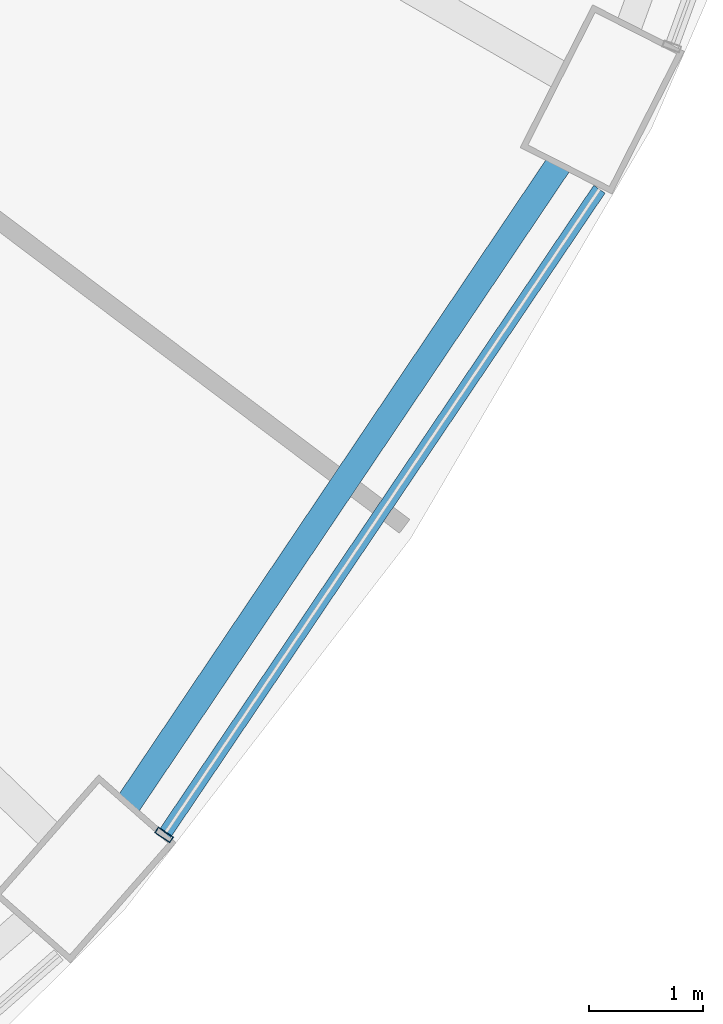
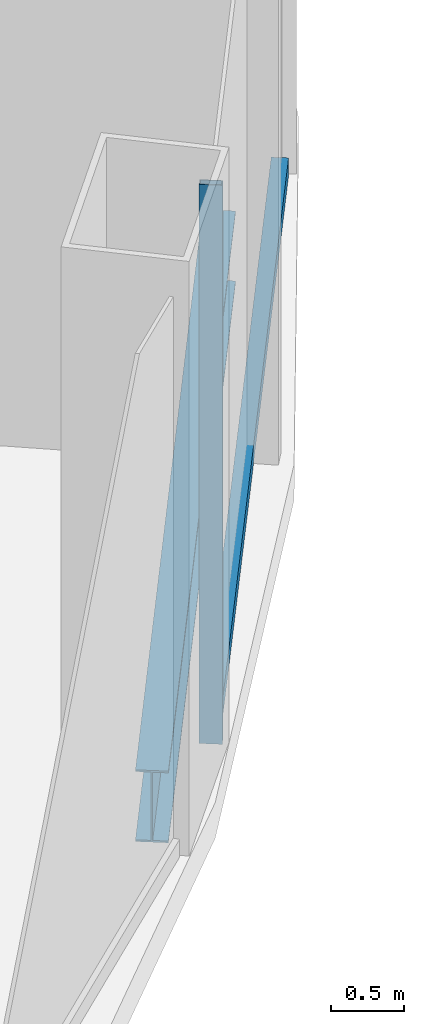
# One storey, part 13 of 47: 2 members, 1 beam, 1 element without a shape of its own.
"""IFC4 building model written with IfcOpenShell, lengths in metres."""

from ifc_helpers import new_model, si_unit, direction, frame, origin, origin_2d, place, context, subcontext, project, spatial, hollow_rectangle, i_section, extrude, material, layer, layer_set, material_profile, profile_set, type_object, element, aggregate, save


model = new_model("IFC4")

# Units and contexts
model_context = context("Model", 3, precision=1e-05, world=origin(), true_north=direction((0.0, 1.0)))
body_context = subcontext(model_context, "Body", "Model", "MODEL_VIEW")
ifc_project = project(units=[si_unit("LENGTHUNIT", "METRE"), si_unit("AREAUNIT", "SQUARE_METRE"), si_unit("VOLUMEUNIT", "CUBIC_METRE"), si_unit("PLANEANGLEUNIT", "RADIAN"), si_unit("MASSUNIT", "GRAM", prefix="KILO")], contexts=[model_context])

# Site, building, storey
site_placement = place(None, origin())
site = spatial("IfcSite", under=ifc_project, at=site_placement, CompositionType="ELEMENT")
building_placement = place(site_placement, origin())
building = spatial("IfcBuilding", under=site, at=building_placement, Name="Nagisa Residences", CompositionType="ELEMENT")
storey_placement = place(building_placement, frame((0.0, 0.0, 7.0)))
storey = spatial("IfcBuildingStorey", under=building, at=storey_placement, Name="L01", CompositionType="ELEMENT", Elevation=7.0)

# Curtain wall, members
ifc_material_1 = material(Name="Stainless steel curtain wall system", Category="steel")
ifc_layer = layer(ifc_material_1, 0.159912109375)
ifc_layer_set = layer_set([ifc_layer], Name="CW6 CURTAIN WALL")
curtain_wall_type = type_object("IfcCurtainWallType", Name="CW6 CURTAIN WALL", PredefinedType="NOTDEFINED", material=ifc_layer_set)
curtain_wall_placement = place(storey_placement, origin())
curtain_wall = element("IfcCurtainWall", 1, at=curtain_wall_placement, inside=storey, type_object=curtain_wall_type, Name="cw:CW6:L01:42", PredefinedType="NOTDEFINED")
ifc_material_2 = material(Name="Stainless steel", Category="steel")
ifc_material_profile_1 = material_profile(ifc_material_2, hollow_rectangle(XDim=0.159912109375, YDim=0.06005859375, WallThickness=0.006103515625, at=origin_2d()), Name="CW6 MULLION 160x60")
ifc_profile_set_1 = profile_set([ifc_material_profile_1], Name="Stainless steel")
member_type_1 = type_object("IfcMemberType", Name="CW6 MULLION 160x60", PredefinedType="MULLION", material=ifc_profile_set_1)
member_1_placement = place(storey_placement, frame((24.447998046875, -22.6845703125, 0.0), z_axis=(0.0, 0.0, 1.0), x_axis=(-0.829110926393, 0.559084136544, 0.0)))
member_1 = element("IfcMember", 2, at=member_1_placement, type_object=member_type_1, Name="CW6 mullion", PredefinedType="MULLION", context=body_context, shape_type="SweptSolid", body=[
    extrude(hollow_rectangle(XDim=0.159912109375, YDim=0.06005859375, WallThickness=0.006103515625, at=origin_2d()), origin(), (0.0, 0.0, 1.0), 4.699951171875),
])
ifc_material_3 = material(Name="Stainless steel", Category="steel")
ifc_material_profile_2 = material_profile(ifc_material_3, hollow_rectangle(XDim=0.1201171875, YDim=0.14990234375, WallThickness=0.008056640625, at=origin_2d()), Name="CW6 TRANSOM 120x150")
ifc_profile_set_2 = profile_set([ifc_material_profile_2], Name="Stainless steel")
member_type_2 = type_object("IfcMemberType", Name="CW6 TRANSOM 120x150", PredefinedType="USERDEFINED", material=ifc_profile_set_2)
member_2_placement = place(storey_placement, frame((24.43115234375, -22.70947265625, 0.074951171875), z_axis=(0.559080645991, 0.829113280124, 0.0), x_axis=(-0.829113280124, 0.559080645991, 0.0)))
member_2 = element("IfcMember", 3, at=member_2_placement, type_object=member_type_2, Name="CW6 transom", ObjectType="TRANSOM", PredefinedType="USERDEFINED", context=body_context, shape_type="SweptSolid", body=[
    extrude(hollow_rectangle(XDim=0.1201171875, YDim=0.14990234375, WallThickness=0.008056640625, at=origin_2d()), origin(), (0.0, 0.0, 1.0), 6.84326171875),
])
aggregate(curtain_wall, [member_1, member_2])

# Beam
ifc_material_4 = material(Name="Steel ASTM A572 Gr 50", Category="steel")
ifc_material_profile_3 = material_profile(ifc_material_4, i_section(OverallWidth=0.22802734375, OverallDepth=0.60302734375, WebThickness=0.010498046875, FlangeThickness=0.014892578125, at=origin_2d()), Name="W610x101")
ifc_profile_set_3 = profile_set([ifc_material_profile_3], Name="Steel ASTM A572 Gr 50")
beam_type = type_object("IfcBeamType", Name="Perimeter ring beam W610x101", PredefinedType="BEAM", material=ifc_profile_set_3)
beam_placement = place(storey_placement, frame((24.135498046875, -22.411865234375, -0.6015625), z_axis=(0.558271879663, 0.829658067144, 0.0), x_axis=(-0.829658067144, 0.558271879663, 0.0)))
element("IfcBeam", 4, at=beam_placement, inside=storey, type_object=beam_type, Name="beam:L01:pb22", PredefinedType="BEAM", context=body_context, shape_type="SweptSolid", body=[
    extrude(i_section(OverallWidth=0.22802734375, OverallDepth=0.60302734375, WebThickness=0.010498046875, FlangeThickness=0.014892578125, at=origin_2d()), origin(), (0.0, 0.0, 1.0), 6.74169921875),
])

save(model, "model.ifc")
